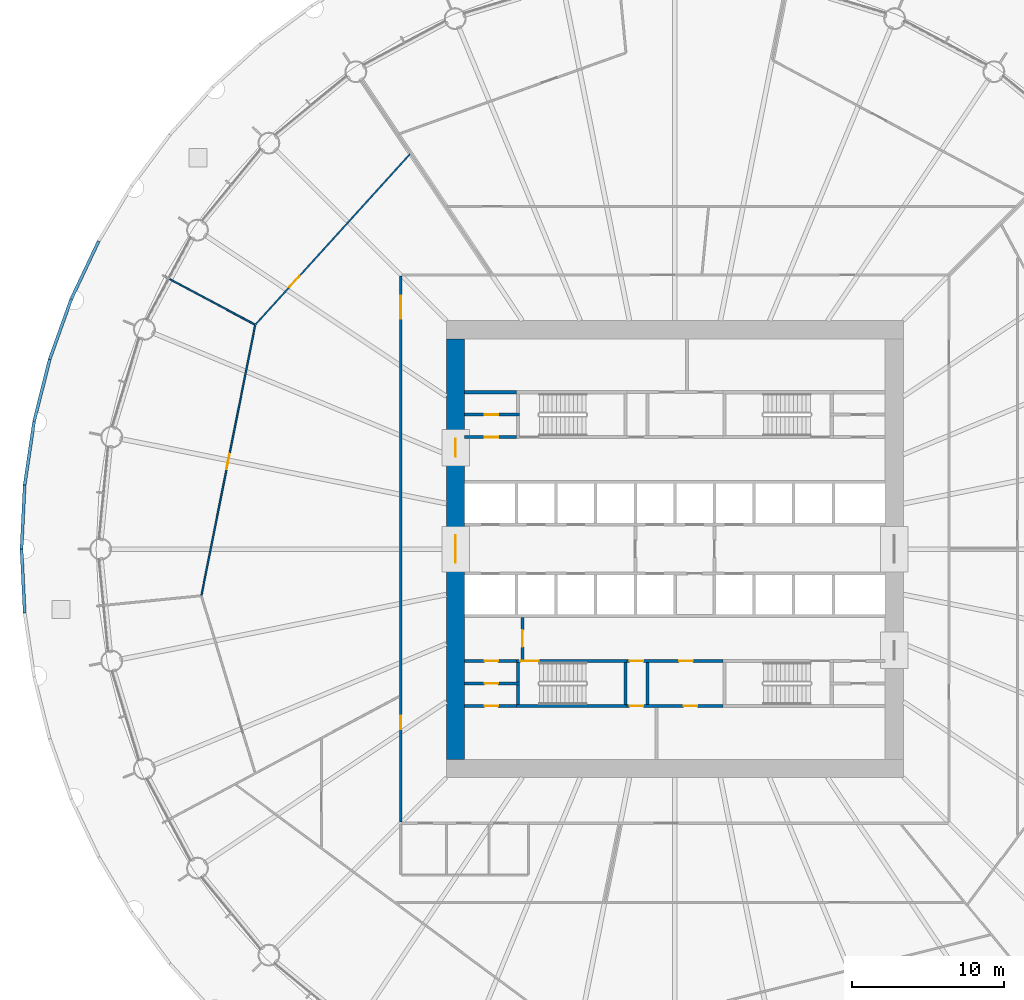
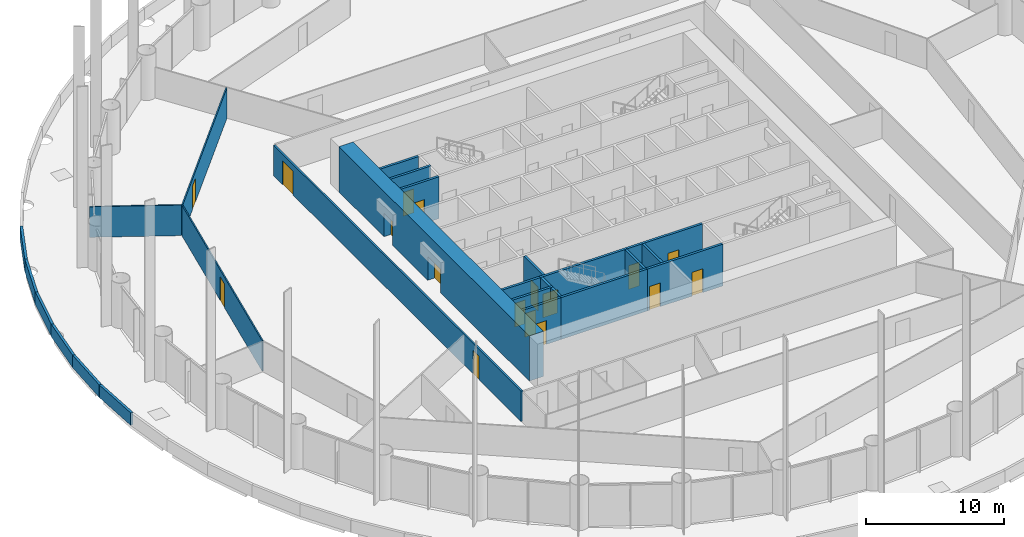
# One storey, part 10 of 17: 26 walls, 17 doors, 17 openings.
"""IFC4 building model written with IfcOpenShell, lengths in metres."""

from ifc_helpers import new_model, si_unit, direction, frame, frame_2d, origin, place, context, subcontext, project, spatial, polyline, rectangle, outline, extrude, material, layer, layer_set, type_object, element, fill, save


model = new_model("IFC4")

# Units and contexts
model_context = context("Model", 3, precision=1e-05, world=origin(), true_north=direction((0.0, 1.0)))
body_context = subcontext(model_context, "Body", "Model", "MODEL_VIEW")
ifc_project = project(units=[si_unit("LENGTHUNIT", "METRE"), si_unit("AREAUNIT", "SQUARE_METRE"), si_unit("VOLUMEUNIT", "CUBIC_METRE"), si_unit("PLANEANGLEUNIT", "RADIAN"), si_unit("MASSUNIT", "GRAM", prefix="KILO")], contexts=[model_context])

# Site, building, storey
site_placement = place(None, origin())
site = spatial("IfcSite", under=ifc_project, at=site_placement, CompositionType="ELEMENT")
building_placement = place(site_placement, origin())
building = spatial("IfcBuilding", under=site, at=building_placement, Name="Corvane Civic Tower", CompositionType="ELEMENT")
storey_placement = place(building_placement, frame((0.0, 0.0, 37.0)))
storey = spatial("IfcBuildingStorey", under=building, at=storey_placement, Name="L07", CompositionType="ELEMENT", Elevation=37.0)

# Wall, openings, doors
ifc_material_1 = material(Name="Concrete C80/95", Category="concrete")
ifc_layer_1 = layer(ifc_material_1, 1.199951171875)
ifc_layer_set_1 = layer_set([ifc_layer_1], Name="Concrete C80/95")
wall_type_1 = type_object("IfcWallType", Name="CORE WALL 1200 C80/95", PredefinedType="SHEAR", material=ifc_layer_set_1)
wall_1_placement = place(storey_placement, frame((-14.39990234375, -13.800048828125, 0.0), z_axis=(0.0, 0.0, 1.0), x_axis=(0.0, 1.0, 0.0)))
wall_1 = element("IfcWall", 1, at=wall_1_placement, inside=storey, type_object=wall_type_1, Name="W-L07-core-W", PredefinedType="SHEAR", context=body_context, shape_type="SweptSolid", body=[
    extrude(rectangle(XDim=27.60009765625, YDim=1.199951171875, at=frame_2d((13.800048828125, 0.0))), origin(), (0.0, 0.0, 1.0), 4.0),
])
opening_1_placement = place(wall_1_placement, frame((12.89990234375, 0.0, 0.0)))
opening_1 = element("IfcOpeningElement", 2, at=opening_1_placement, cuts=wall_1, Name="Opening L07.C26", PredefinedType="OPENING", context=body_context, shape_type="SweptSolid", body=[
    extrude(rectangle(XDim=1.800048828125, YDim=2.10009765625, at=frame_2d((0.89990234375, 1.050048828125))), frame((0.0, 0.60986328125, 0.0), z_axis=(0.0, -1.0, 0.0), x_axis=(1.0, 0.0, 0.0)), (0.0, 0.0, 1.0), 1.219970703125),
])
opening_2_placement = place(wall_1_placement, frame((19.85009765625, 0.0, 0.0)))
opening_2 = element("IfcOpeningElement", 3, at=opening_2_placement, cuts=wall_1, Name="Opening L07.C28", PredefinedType="OPENING", context=body_context, shape_type="SweptSolid", body=[
    extrude(rectangle(XDim=1.199951171875, YDim=2.10009765625, at=frame_2d((0.60009765625, 1.050048828125))), frame((0.0, 0.60986328125, 0.0), z_axis=(0.0, -1.0, 0.0), x_axis=(1.0, 0.0, 0.0)), (0.0, 0.0, 1.0), 1.219970703125),
])
ifc_material_2 = material(Name="Steel fire door leaf", Category="steel")
door_type_1 = type_object("IfcDoorType", Name="CR-DOOR-CORE-1800", OperationType="DOUBLE_DOOR_SINGLE_SWING", PredefinedType="DOOR", material=ifc_material_2)
door_1_placement = place(opening_1_placement, origin())
door_1 = element("IfcDoor", 4, at=door_1_placement, inside=storey, type_object=door_type_1, Name="L07 door", OperationType="DOUBLE_DOOR_SINGLE_SWING", OverallHeight=2.10009765625, OverallWidth=1.800048828125, PredefinedType="DOOR", context=body_context, shape_type="SweptSolid", body=[
    extrude(rectangle(XDim=1.800048828125, YDim=2.10009765625, at=frame_2d((0.89990234375, 1.050048828125))), frame((0.0, 0.02490234375, 0.0), z_axis=(0.0, -1.0, 0.0), x_axis=(1.0, 0.0, 0.0)), (0.0, 0.0, 1.0), 0.050048828125),
])
fill(opening_1, door_1)
door_2_placement = place(opening_2_placement, origin())
door_2 = element("IfcDoor", 5, at=door_2_placement, inside=storey, type_object=door_type_1, Name="L07 door", OperationType="DOUBLE_DOOR_SINGLE_SWING", OverallHeight=2.10009765625, OverallWidth=1.199951171875, PredefinedType="DOOR", context=body_context, shape_type="SweptSolid", body=[
    extrude(rectangle(XDim=1.199951171875, YDim=2.10009765625, at=frame_2d((0.60009765625, 1.050048828125))), frame((0.0, 0.02490234375, 0.0), z_axis=(0.0, -1.0, 0.0), x_axis=(1.0, 0.0, 0.0)), (0.0, 0.0, 1.0), 0.050048828125),
])
fill(opening_2, door_2)

# Wall, opening, door
ifc_material_3 = material(Name="Concrete C30/37", Category="concrete")
ifc_layer_2 = layer(ifc_material_3, 0.199951171875)
ifc_layer_set_2 = layer_set([ifc_layer_2], Name="Concrete C30/37")
wall_type_2 = type_object("IfcWallType", Name="CR-WALL-200", PredefinedType="PARTITIONING", material=ifc_layer_set_2)
wall_2_placement = place(storey_placement, frame((-13.800048828125, -10.300048828125, 0.0), z_axis=(0.0, 0.0, 1.0), x_axis=(1.0, 0.0, 0.0)))
wall_2 = element("IfcWall", 6, at=wall_2_placement, inside=storey, type_object=wall_type_2, Name="L07 partition wall", PredefinedType="PARTITIONING", context=body_context, shape_type="SweptSolid", body=[
    extrude(rectangle(XDim=3.400146484375, YDim=0.199951171875, at=frame_2d((1.7001953125, 0.0))), origin(), (0.0, 0.0, 1.0), 3.699951171875),
])
opening_3_placement = place(wall_2_placement, frame((1.300048828125, 0.0, 0.0)))
opening_3 = element("IfcOpeningElement", 7, at=opening_3_placement, cuts=wall_2, Name="Opening L07.C14", PredefinedType="OPENING", context=body_context, shape_type="SweptSolid", body=[
    extrude(rectangle(XDim=0.89990234375, YDim=2.10009765625, at=frame_2d((0.449951171875, 1.050048828125))), frame((0.0, 0.10986328125, 0.0), z_axis=(0.0, -1.0, 0.0), x_axis=(1.0, 0.0, 0.0)), (0.0, 0.0, 1.0), 0.219970703125),
])
ifc_material_4 = material(Name="Steel fire door leaf", Category="steel")
door_type_2 = type_object("IfcDoorType", Name="CR-DOOR-900", OperationType="SINGLE_SWING_LEFT", PredefinedType="DOOR", material=ifc_material_4)
door_3_placement = place(opening_3_placement, origin())
door_3 = element("IfcDoor", 8, at=door_3_placement, inside=storey, type_object=door_type_2, Name="L07 door", OperationType="SINGLE_SWING_LEFT", OverallHeight=2.10009765625, OverallWidth=0.89990234375, PredefinedType="DOOR", context=body_context, shape_type="SweptSolid", body=[
    extrude(rectangle(XDim=0.89990234375, YDim=2.10009765625, at=frame_2d((0.449951171875, 1.050048828125))), frame((0.0, 0.02490234375, 0.0), z_axis=(0.0, -1.0, 0.0), x_axis=(1.0, 0.0, 0.0)), (0.0, 0.0, 1.0), 0.050048828125),
])
fill(opening_3, door_3)

# Wall, openings, doors
wall_3_placement = place(storey_placement, frame((-3.14990234375, -10.300048828125, 0.0), z_axis=(0.0, 0.0, 1.0), x_axis=(1.0, 0.0, 0.0)))
wall_3 = element("IfcWall", 9, at=wall_3_placement, inside=storey, type_object=wall_type_2, Name="L07 partition wall", PredefinedType="PARTITIONING", context=body_context, shape_type="SweptSolid", body=[
    extrude(rectangle(XDim=6.2998046875, YDim=0.199951171875, at=frame_2d((3.14990234375, 0.0))), origin(), (0.0, 0.0, 1.0), 3.699951171875),
])
opening_4_placement = place(wall_3_placement, frame((0.175048828125, 0.0, 0.0)))
opening_4 = element("IfcOpeningElement", 10, at=opening_4_placement, cuts=wall_3, Name="Opening L07.C08", PredefinedType="OPENING", context=body_context, shape_type="SweptSolid", body=[
    extrude(rectangle(XDim=0.89990234375, YDim=2.10009765625, at=frame_2d((0.449951171875, 1.050048828125))), frame((0.0, 0.10986328125, 0.0), z_axis=(0.0, -1.0, 0.0), x_axis=(1.0, 0.0, 0.0)), (0.0, 0.0, 1.0), 0.219970703125),
])
opening_5_placement = place(wall_3_placement, frame((3.72509765625, 0.0, 0.0)))
opening_5 = element("IfcOpeningElement", 11, at=opening_5_placement, cuts=wall_3, Name="Opening L07.C09", PredefinedType="OPENING", context=body_context, shape_type="SweptSolid", body=[
    extrude(rectangle(XDim=0.89990234375, YDim=2.10009765625, at=frame_2d((0.449951171875, 1.050048828125))), frame((0.0, 0.10986328125, 0.0), z_axis=(0.0, -1.0, 0.0), x_axis=(1.0, 0.0, 0.0)), (0.0, 0.0, 1.0), 0.219970703125),
])
door_4_placement = place(opening_4_placement, origin())
door_4 = element("IfcDoor", 12, at=door_4_placement, inside=storey, type_object=door_type_2, Name="L07 door", OperationType="SINGLE_SWING_LEFT", OverallHeight=2.10009765625, OverallWidth=0.89990234375, PredefinedType="DOOR", context=body_context, shape_type="SweptSolid", body=[
    extrude(rectangle(XDim=0.89990234375, YDim=2.10009765625, at=frame_2d((0.449951171875, 1.050048828125))), frame((0.0, 0.02490234375, 0.0), z_axis=(0.0, -1.0, 0.0), x_axis=(1.0, 0.0, 0.0)), (0.0, 0.0, 1.0), 0.050048828125),
])
fill(opening_4, door_4)
door_5_placement = place(opening_5_placement, origin())
door_5 = element("IfcDoor", 13, at=door_5_placement, inside=storey, type_object=door_type_2, Name="L07 door", OperationType="SINGLE_SWING_LEFT", OverallHeight=2.10009765625, OverallWidth=0.89990234375, PredefinedType="DOOR", context=body_context, shape_type="SweptSolid", body=[
    extrude(rectangle(XDim=0.89990234375, YDim=2.10009765625, at=frame_2d((0.449951171875, 1.050048828125))), frame((0.0, 0.02490234375, 0.0), z_axis=(0.0, -1.0, 0.0), x_axis=(1.0, 0.0, 0.0)), (0.0, 0.0, 1.0), 0.050048828125),
])
fill(opening_5, door_5)

# Wall, opening, door
wall_4_placement = place(storey_placement, frame((-13.800048828125, -8.824951171875, 0.0), z_axis=(0.0, 0.0, 1.0), x_axis=(1.0, 0.0, 0.0)))
wall_4 = element("IfcWall", 14, at=wall_4_placement, inside=storey, type_object=wall_type_2, Name="L07 partition wall", PredefinedType="PARTITIONING", context=body_context, shape_type="SweptSolid", body=[
    extrude(rectangle(XDim=3.60009765625, YDim=0.199951171875, at=frame_2d((1.800048828125, 0.0))), origin(), (0.0, 0.0, 1.0), 3.699951171875),
])
opening_6_placement = place(wall_4_placement, frame((1.300048828125, 0.0, 0.0)))
opening_6 = element("IfcOpeningElement", 15, at=opening_6_placement, cuts=wall_4, Name="Opening L07.C13", PredefinedType="OPENING", context=body_context, shape_type="SweptSolid", body=[
    extrude(rectangle(XDim=0.89990234375, YDim=2.10009765625, at=frame_2d((0.449951171875, 1.050048828125))), frame((0.0, 0.10986328125, 0.0), z_axis=(0.0, -1.0, 0.0), x_axis=(1.0, 0.0, 0.0)), (0.0, 0.0, 1.0), 0.219970703125),
])
door_6_placement = place(opening_6_placement, origin())
door_6 = element("IfcDoor", 16, at=door_6_placement, inside=storey, type_object=door_type_2, Name="L07 door", OperationType="SINGLE_SWING_LEFT", OverallHeight=2.10009765625, OverallWidth=0.89990234375, PredefinedType="DOOR", context=body_context, shape_type="SweptSolid", body=[
    extrude(rectangle(XDim=0.89990234375, YDim=2.10009765625, at=frame_2d((0.449951171875, 1.050048828125))), frame((0.0, 0.02490234375, 0.0), z_axis=(0.0, -1.0, 0.0), x_axis=(1.0, 0.0, 0.0)), (0.0, 0.0, 1.0), 0.050048828125),
])
fill(opening_6, door_6)

wall_5_placement = place(storey_placement, frame((-13.800048828125, -7.35009765625, 0.0), z_axis=(0.0, 0.0, 1.0), x_axis=(1.0, 0.0, 0.0)))
wall_5 = element("IfcWall", 17, at=wall_5_placement, inside=storey, type_object=wall_type_2, Name="L07 core partition wall", PredefinedType="PARTITIONING", context=body_context, shape_type="SweptSolid", body=[
    extrude(rectangle(XDim=3.400146484375, YDim=0.199951171875, at=frame_2d((1.7001953125, 0.0))), origin(), (0.0, 0.0, 1.0), 3.699951171875),
])
opening_7_placement = place(wall_5_placement, frame((1.300048828125, 0.0, 0.0)))
opening_7 = element("IfcOpeningElement", 18, at=opening_7_placement, cuts=wall_5, Name="Opening L07.C12", PredefinedType="OPENING", context=body_context, shape_type="SweptSolid", body=[
    extrude(rectangle(XDim=0.89990234375, YDim=2.10009765625, at=frame_2d((0.449951171875, 1.050048828125))), frame((0.0, 0.10986328125, 0.0), z_axis=(0.0, -1.0, 0.0), x_axis=(1.0, 0.0, 0.0)), (0.0, 0.0, 1.0), 0.219970703125),
])
door_7_placement = place(opening_7_placement, origin())
door_7 = element("IfcDoor", 19, at=door_7_placement, inside=storey, type_object=door_type_2, Name="L07 door", OperationType="SINGLE_SWING_LEFT", OverallHeight=2.10009765625, OverallWidth=0.89990234375, PredefinedType="DOOR", context=body_context, shape_type="SweptSolid", body=[
    extrude(rectangle(XDim=0.89990234375, YDim=2.10009765625, at=frame_2d((0.449951171875, 1.050048828125))), frame((0.0, 0.02490234375, 0.0), z_axis=(0.0, -1.0, 0.0), x_axis=(1.0, 0.0, 0.0)), (0.0, 0.0, 1.0), 0.050048828125),
])
fill(opening_7, door_7)

# Wall, openings, doors
wall_6_placement = place(storey_placement, frame((-3.14990234375, -7.35009765625, 0.0), z_axis=(0.0, 0.0, 1.0), x_axis=(1.0, 0.0, 0.0)))
wall_6 = element("IfcWall", 20, at=wall_6_placement, inside=storey, type_object=wall_type_2, Name="L07 core partition wall", PredefinedType="PARTITIONING", context=body_context, shape_type="SweptSolid", body=[
    extrude(rectangle(XDim=6.2998046875, YDim=0.199951171875, at=frame_2d((3.14990234375, 0.0))), origin(), (0.0, 0.0, 1.0), 3.699951171875),
])
opening_8_placement = place(wall_6_placement, frame((0.175048828125, 0.0, 0.0)))
opening_8 = element("IfcOpeningElement", 21, at=opening_8_placement, cuts=wall_6, Name="Opening L07.C04", PredefinedType="OPENING", context=body_context, shape_type="SweptSolid", body=[
    extrude(rectangle(XDim=0.89990234375, YDim=2.10009765625, at=frame_2d((0.449951171875, 1.050048828125))), frame((0.0, 0.10986328125, 0.0), z_axis=(0.0, -1.0, 0.0), x_axis=(1.0, 0.0, 0.0)), (0.0, 0.0, 1.0), 0.219970703125),
])
opening_9_placement = place(wall_6_placement, frame((3.425048828125, 0.0, 0.0)))
opening_9 = element("IfcOpeningElement", 22, at=opening_9_placement, cuts=wall_6, Name="Opening L07.C05", PredefinedType="OPENING", context=body_context, shape_type="SweptSolid", body=[
    extrude(rectangle(XDim=0.89990234375, YDim=2.10009765625, at=frame_2d((0.449951171875, 1.050048828125))), frame((0.0, 0.10986328125, 0.0), z_axis=(0.0, -1.0, 0.0), x_axis=(1.0, 0.0, 0.0)), (0.0, 0.0, 1.0), 0.219970703125),
])
door_8_placement = place(opening_8_placement, origin())
door_8 = element("IfcDoor", 23, at=door_8_placement, inside=storey, type_object=door_type_2, Name="L07 door", OperationType="SINGLE_SWING_LEFT", OverallHeight=2.10009765625, OverallWidth=0.89990234375, PredefinedType="DOOR", context=body_context, shape_type="SweptSolid", body=[
    extrude(rectangle(XDim=0.89990234375, YDim=2.10009765625, at=frame_2d((0.449951171875, 1.050048828125))), frame((0.0, 0.02490234375, 0.0), z_axis=(0.0, -1.0, 0.0), x_axis=(1.0, 0.0, 0.0)), (0.0, 0.0, 1.0), 0.050048828125),
])
fill(opening_8, door_8)
door_9_placement = place(opening_9_placement, origin())
door_9 = element("IfcDoor", 24, at=door_9_placement, inside=storey, type_object=door_type_2, Name="L07 door", OperationType="SINGLE_SWING_LEFT", OverallHeight=2.10009765625, OverallWidth=0.89990234375, PredefinedType="DOOR", context=body_context, shape_type="SweptSolid", body=[
    extrude(rectangle(XDim=0.89990234375, YDim=2.10009765625, at=frame_2d((0.449951171875, 1.050048828125))), frame((0.0, 0.02490234375, 0.0), z_axis=(0.0, -1.0, 0.0), x_axis=(1.0, 0.0, 0.0)), (0.0, 0.0, 1.0), 0.050048828125),
])
fill(opening_9, door_9)

# Wall, opening, door
wall_7_placement = place(storey_placement, frame((-13.800048828125, 7.35009765625, 0.0), z_axis=(0.0, 0.0, 1.0), x_axis=(1.0, 0.0, 0.0)))
wall_7 = element("IfcWall", 25, at=wall_7_placement, inside=storey, type_object=wall_type_2, Name="L07 core partition wall", PredefinedType="PARTITIONING", context=body_context, shape_type="SweptSolid", body=[
    extrude(rectangle(XDim=3.400146484375, YDim=0.199951171875, at=frame_2d((1.7001953125, 0.0))), origin(), (0.0, 0.0, 1.0), 3.699951171875),
])
opening_10_placement = place(wall_7_placement, frame((1.300048828125, 0.0, 0.0)))
opening_10 = element("IfcOpeningElement", 26, at=opening_10_placement, cuts=wall_7, Name="Opening L07.C10", PredefinedType="OPENING", context=body_context, shape_type="SweptSolid", body=[
    extrude(rectangle(XDim=0.89990234375, YDim=2.10009765625, at=frame_2d((0.449951171875, 1.050048828125))), frame((0.0, 0.10986328125, 0.0), z_axis=(0.0, -1.0, 0.0), x_axis=(1.0, 0.0, 0.0)), (0.0, 0.0, 1.0), 0.219970703125),
])
door_10_placement = place(opening_10_placement, origin())
door_10 = element("IfcDoor", 27, at=door_10_placement, inside=storey, type_object=door_type_2, Name="L07 door", OperationType="SINGLE_SWING_LEFT", OverallHeight=2.10009765625, OverallWidth=0.89990234375, PredefinedType="DOOR", context=body_context, shape_type="SweptSolid", body=[
    extrude(rectangle(XDim=0.89990234375, YDim=2.10009765625, at=frame_2d((0.449951171875, 1.050048828125))), frame((0.0, 0.02490234375, 0.0), z_axis=(0.0, -1.0, 0.0), x_axis=(1.0, 0.0, 0.0)), (0.0, 0.0, 1.0), 0.050048828125),
])
fill(opening_10, door_10)

wall_8_placement = place(storey_placement, frame((-13.800048828125, 8.824951171875, 0.0), z_axis=(0.0, 0.0, 1.0), x_axis=(1.0, 0.0, 0.0)))
wall_8 = element("IfcWall", 28, at=wall_8_placement, inside=storey, type_object=wall_type_2, Name="L07 partition wall", PredefinedType="PARTITIONING", context=body_context, shape_type="SweptSolid", body=[
    extrude(rectangle(XDim=3.60009765625, YDim=0.199951171875, at=frame_2d((1.800048828125, 0.0))), origin(), (0.0, 0.0, 1.0), 3.699951171875),
])
opening_11_placement = place(wall_8_placement, frame((1.300048828125, 0.0, 0.0)))
opening_11 = element("IfcOpeningElement", 29, at=opening_11_placement, cuts=wall_8, Name="Opening L07.C11", PredefinedType="OPENING", context=body_context, shape_type="SweptSolid", body=[
    extrude(rectangle(XDim=0.89990234375, YDim=2.10009765625, at=frame_2d((0.449951171875, 1.050048828125))), frame((0.0, 0.10986328125, 0.0), z_axis=(0.0, -1.0, 0.0), x_axis=(1.0, 0.0, 0.0)), (0.0, 0.0, 1.0), 0.219970703125),
])
door_11_placement = place(opening_11_placement, origin())
door_11 = element("IfcDoor", 30, at=door_11_placement, inside=storey, type_object=door_type_2, Name="L07 door", OperationType="SINGLE_SWING_LEFT", OverallHeight=2.10009765625, OverallWidth=0.89990234375, PredefinedType="DOOR", context=body_context, shape_type="SweptSolid", body=[
    extrude(rectangle(XDim=0.89990234375, YDim=2.10009765625, at=frame_2d((0.449951171875, 1.050048828125))), frame((0.0, 0.02490234375, 0.0), z_axis=(0.0, -1.0, 0.0), x_axis=(1.0, 0.0, 0.0)), (0.0, 0.0, 1.0), 0.050048828125),
])
fill(opening_11, door_11)

wall_9_placement = place(storey_placement, frame((-10.0, -7.25, 0.0), z_axis=(0.0, 0.0, 1.0), x_axis=(0.0, 1.0, 0.0)))
wall_9 = element("IfcWall", 31, at=wall_9_placement, inside=storey, type_object=wall_type_2, Name="L07 core partition wall", PredefinedType="PARTITIONING", context=body_context, shape_type="SweptSolid", body=[
    extrude(rectangle(XDim=2.75, YDim=0.199951171875, at=frame_2d((1.375, 0.0))), origin(), (0.0, 0.0, 1.0), 3.699951171875),
])
opening_12_placement = place(wall_9_placement, frame((0.824951171875, 0.0, 0.0)))
opening_12 = element("IfcOpeningElement", 32, at=opening_12_placement, cuts=wall_9, Name="Opening L07.C25", PredefinedType="OPENING", context=body_context, shape_type="SweptSolid", body=[
    extrude(rectangle(XDim=1.10009765625, YDim=2.10009765625, at=frame_2d((0.550048828125, 1.050048828125))), frame((0.0, 0.10986328125, 0.0), z_axis=(0.0, -1.0, 0.0), x_axis=(1.0, 0.0, 0.0)), (0.0, 0.0, 1.0), 0.219970703125),
])
ifc_material_5 = material(Name="Steel fire door leaf", Category="steel")
door_type_3 = type_object("IfcDoorType", Name="CR-DOOR-FFL-1100", OperationType="SINGLE_SWING_LEFT", PredefinedType="DOOR", material=ifc_material_5)
door_12_placement = place(opening_12_placement, origin())
door_12 = element("IfcDoor", 33, at=door_12_placement, inside=storey, type_object=door_type_3, Name="L07 lobby door", OperationType="SINGLE_SWING_LEFT", OverallHeight=2.10009765625, OverallWidth=1.10009765625, PredefinedType="DOOR", context=body_context, shape_type="SweptSolid", body=[
    extrude(rectangle(XDim=1.10009765625, YDim=2.10009765625, at=frame_2d((0.550048828125, 1.050048828125))), frame((0.0, 0.02490234375, 0.0), z_axis=(0.0, -1.0, 0.0), x_axis=(1.0, 0.0, 0.0)), (0.0, 0.0, 1.0), 0.050048828125),
])
fill(opening_12, door_12)

# Walls
wall_10_placement = place(storey_placement, origin())
element("IfcWall", 34, at=wall_10_placement, inside=storey, type_object=wall_type_2, Name="L07 core partition wall", PredefinedType="PARTITIONING", context=body_context, shape_type="SweptSolid", body=[
    extrude(outline(polyline([(-13.800048828125, 10.199951171875), (-13.800048828125, 10.39990234375), (-10.39990234375, 10.39990234375), (-10.39990234375, 10.199951171875), (-13.800048828125, 10.199951171875)])), origin(), (0.0, 0.0, 1.0), 3.699951171875),
])
wall_11_placement = place(storey_placement, origin())
element("IfcWall", 35, at=wall_11_placement, inside=storey, type_object=wall_type_2, Name="L07 core partition wall", PredefinedType="PARTITIONING", context=body_context, shape_type="SweptSolid", body=[
    extrude(outline(polyline([(-1.699951171875, -7.449951171875), (-1.699951171875, -10.199951171875), (-1.89990234375, -10.199951171875), (-1.89990234375, -7.449951171875), (-1.699951171875, -7.449951171875)])), origin(), (0.0, 0.0, 1.0), 3.699951171875),
])
ifc_material_6 = material(Name="Limestone cladding", Category="masonry")
ifc_layer_3 = layer(ifc_material_6, 0.199951171875)
ifc_layer_set_3 = layer_set([ifc_layer_3], Name="Limestone cladding")
wall_type_3 = type_object("IfcWallType", Name="PODIUM-W-PARAPET-200", PredefinedType="PARAPET", material=ifc_layer_set_3)
wall_12_placement = place(storey_placement, frame((-37.83642578125, 20.21826171875, 0.0), z_axis=(0.0, 0.0, 1.0), x_axis=(-0.427551519689, -0.903990983369, 0.0)))
element("IfcWall", 36, at=wall_12_placement, inside=storey, type_object=wall_type_3, Name="Drum roof parapet 12", PredefinedType="PARAPET", context=body_context, shape_type="SweptSolid", body=[
    extrude(rectangle(XDim=4.199951171875, YDim=0.199951171875, at=frame_2d((2.10009765625, 0.0))), origin(), (0.0, 0.0, 1.0), 1.10009765625),
])
wall_13_placement = place(storey_placement, frame((-39.635986328125, 16.412109375, 0.0), z_axis=(0.0, 0.0, 1.0), x_axis=(-0.336888747296, -0.94154446095, 0.0)))
element("IfcWall", 37, at=wall_13_placement, inside=storey, type_object=wall_type_3, Name="Drum roof parapet 13", PredefinedType="PARAPET", context=body_context, shape_type="SweptSolid", body=[
    extrude(rectangle(XDim=4.19970703125, YDim=0.199951171875, at=frame_2d((2.099853515625, 0.0))), origin(), (0.0, 0.0, 1.0), 1.10009765625),
])
wall_14_placement = place(storey_placement, frame((-41.053955078125, 12.4482421875, 0.0), z_axis=(0.0, 0.0, 1.0), x_axis=(-0.242986967766, -0.970029552898, 0.0)))
element("IfcWall", 38, at=wall_14_placement, inside=storey, type_object=wall_type_3, Name="Drum roof parapet 14", PredefinedType="PARAPET", context=body_context, shape_type="SweptSolid", body=[
    extrude(rectangle(XDim=4.199951171875, YDim=0.199951171875, at=frame_2d((2.10009765625, 0.0))), origin(), (0.0, 0.0, 1.0), 1.10009765625),
])
wall_15_placement = place(storey_placement, frame((-42.076416015625, 8.364501953125, 0.0), z_axis=(0.0, 0.0, 1.0), x_axis=(-0.146725630276, -0.989177228519, 0.0)))
element("IfcWall", 39, at=wall_15_placement, inside=storey, type_object=wall_type_3, Name="Drum roof parapet 15", PredefinedType="PARAPET", context=body_context, shape_type="SweptSolid", body=[
    extrude(rectangle(XDim=4.19970703125, YDim=0.199951171875, at=frame_2d((2.099853515625, 0.0))), origin(), (0.0, 0.0, 1.0), 1.10009765625),
])
for number, where, z_axis, x_axis, name in (
    (40, (-42.693603515625, 4.199951171875, 0.0), (0.0, 0.0, 1.0), (-0.049062018364, -0.998795734049, 0.0), "Drum roof parapet 16"),
    (41, (-42.899658203125, -0.005126953125, 0.0), (0.0, 0.0, 1.0), (0.049062018364, -0.998795734049, 0.0), "Drum roof parapet 17"),
):
    element("IfcWall", number, at=place(storey_placement, frame(where, z_axis=z_axis, x_axis=x_axis)), inside=storey, type_object=wall_type_3, Name=name, PredefinedType="PARAPET", context=body_context, shape_type="SweptSolid", body=[
        extrude(rectangle(XDim=4.199951171875, YDim=0.199951171875, at=frame_2d((2.10009765625, 0.0))), origin(), (0.0, 0.0, 1.0), 1.10009765625),
    ])

# Wall, opening, door
ifc_material_7 = material(Name="Plasterboard")
ifc_layer_4 = layer(ifc_material_7, 0.10009765625)
ifc_layer_set_4 = layer_set([ifc_layer_4], Name="Plasterboard")
wall_type_4 = type_object("IfcWallType", Name="Partition 100 plasterboard on studs", PredefinedType="PARTITIONING", material=ifc_layer_set_4)
wall_16_placement = place(storey_placement, frame((-31.08447265625, -3.02587890625, 0.0), z_axis=(0.0, 0.0, 1.0), x_axis=(0.195094577549, 0.980784433916, 0.0)))
wall_16 = element("IfcWall", 42, at=wall_16_placement, inside=storey, type_object=wall_type_4, Name="Partition L07.023", PredefinedType="PARTITIONING", context=body_context, shape_type="SweptSolid", body=[
    extrude(rectangle(XDim=18.06396484375, YDim=0.10009765625, at=frame_2d((9.031982421875, 0.0))), origin(), (0.0, 0.0, 1.0), 2.699951171875),
])
opening_13_placement = place(wall_16_placement, frame((8.44921875, 0.0, 0.0)))
opening_13 = element("IfcOpeningElement", 43, at=opening_13_placement, cuts=wall_16, Name="Opening L07.017", PredefinedType="OPENING", context=body_context, shape_type="SweptSolid", body=[
    extrude(rectangle(XDim=1.0, YDim=2.10009765625, at=frame_2d((0.5, 1.050048828125))), frame((0.0, 0.06005859375, 0.0), z_axis=(0.0, -1.0, 0.0), x_axis=(1.0, 0.0, 0.0)), (0.0, 0.0, 1.0), 0.1201171875),
])
ifc_material_8 = material(Name="Timber", Category="wood")
door_type_4 = type_object("IfcDoorType", Name="Single door 1000", OperationType="NOTDEFINED", PredefinedType="DOOR", material=ifc_material_8)
door_13_placement = place(opening_13_placement, origin())
door_13 = element("IfcDoor", 44, at=door_13_placement, inside=storey, type_object=door_type_4, Name="Door L07.017", OperationType="SINGLE_SWING_LEFT", OverallHeight=2.10009765625, OverallWidth=1.0, PredefinedType="DOOR", context=body_context, shape_type="SweptSolid", body=[
    extrude(rectangle(XDim=1.0, YDim=2.10009765625, at=frame_2d((0.5, 1.050048828125))), frame((0.0, 0.02490234375, 0.0), z_axis=(0.0, -1.0, 0.0), x_axis=(1.0, 0.0, 0.0)), (0.0, 0.0, 1.0), 0.050048828125),
])
fill(opening_13, door_13)

# Wall
wall_17_placement = place(storey_placement, frame((-33.468994140625, 17.8896484375, 0.0), z_axis=(0.0, 0.0, 1.0), x_axis=(0.881919860776, -0.471399362717, 0.0)))
element("IfcWall", 45, at=wall_17_placement, inside=storey, type_object=wall_type_4, Name="Partition L07.027", PredefinedType="PARTITIONING", context=body_context, shape_type="SweptSolid", body=[
    extrude(rectangle(XDim=6.669189453125, YDim=0.10009765625, at=frame_2d((3.33447265625, 0.0))), origin(), (0.0, 0.0, 1.0), 2.699951171875),
])

# Wall, opening, door
wall_18_placement = place(storey_placement, frame((-27.52685546875, 14.75634765625, 0.0), z_axis=(0.0, 0.0, 1.0), x_axis=(0.671559148707, 0.740950949651, 0.0)))
wall_18 = element("IfcWall", 46, at=wall_18_placement, inside=storey, type_object=wall_type_4, Name="Partition L07.028", PredefinedType="PARTITIONING", context=body_context, shape_type="SweptSolid", body=[
    extrude(rectangle(XDim=15.079345703125, YDim=0.10009765625, at=frame_2d((7.53955078125, 0.0))), origin(), (0.0, 0.0, 1.0), 2.699951171875),
])
opening_14_placement = place(wall_18_placement, frame((3.303466796875, 0.0, 0.0)))
opening_14 = element("IfcOpeningElement", 47, at=opening_14_placement, cuts=wall_18, Name="Opening L07.018", PredefinedType="OPENING", context=body_context, shape_type="SweptSolid", body=[
    extrude(rectangle(XDim=1.0, YDim=2.10009765625, at=frame_2d((0.5, 1.050048828125))), frame((0.0, 0.06005859375, 0.0), z_axis=(0.0, -1.0, 0.0), x_axis=(1.0, 0.0, 0.0)), (0.0, 0.0, 1.0), 0.1201171875),
])
door_14_placement = place(opening_14_placement, origin())
door_14 = element("IfcDoor", 48, at=door_14_placement, inside=storey, type_object=door_type_4, Name="Door L07.018", OperationType="SINGLE_SWING_LEFT", OverallHeight=2.10009765625, OverallWidth=1.0, PredefinedType="DOOR", context=body_context, shape_type="SweptSolid", body=[
    extrude(rectangle(XDim=1.0, YDim=2.10009765625, at=frame_2d((0.5, 1.050048828125))), frame((0.0, 0.02490234375, 0.0), z_axis=(0.0, -1.0, 0.0), x_axis=(1.0, 0.0, 0.0)), (0.0, 0.0, 1.0), 0.050048828125),
])
fill(opening_14, door_14)

ifc_material_9 = material(Name="Concrete C50/60", Category="concrete")
ifc_layer_5 = layer(ifc_material_9, 0.199951171875)
ifc_layer_set_5 = layer_set([ifc_layer_5], Name="Concrete C50/60")
wall_type_5 = type_object("IfcWallType", Name="ST-WALL-200", PredefinedType="SHEAR", material=ifc_layer_set_5)
wall_19_placement = place(storey_placement, frame((-10.39990234375, -7.35009765625, 0.0), z_axis=(0.0, 0.0, 1.0), x_axis=(1.0, 0.0, 0.0)))
wall_19 = element("IfcWall", 49, at=wall_19_placement, inside=storey, type_object=wall_type_5, Name="L07 stair enclosure wall", PredefinedType="SHEAR", context=body_context, shape_type="SweptSolid", body=[
    extrude(rectangle(XDim=7.25, YDim=0.199951171875, at=frame_2d((3.625, 0.0))), origin(), (0.0, 0.0, 1.0), 3.699951171875),
])
opening_15_placement = place(wall_19_placement, frame((0.25, 0.0, 0.0)))
opening_15 = element("IfcOpeningElement", 50, at=opening_15_placement, cuts=wall_19, Name="Opening L07.C22", PredefinedType="OPENING", context=body_context, shape_type="SweptSolid", body=[
    extrude(rectangle(XDim=1.199951171875, YDim=2.10009765625, at=frame_2d((0.60009765625, 1.050048828125))), frame((0.0, 0.10986328125, 0.0), z_axis=(0.0, -1.0, 0.0), x_axis=(1.0, 0.0, 0.0)), (0.0, 0.0, 1.0), 0.219970703125),
])
ifc_material_10 = material(Name="Steel fire door leaf", Category="steel")
door_type_5 = type_object("IfcDoorType", Name="ST-DOOR-1200", OperationType="SINGLE_SWING_RIGHT", PredefinedType="DOOR", material=ifc_material_10)
door_15_placement = place(opening_15_placement, origin())
door_15 = element("IfcDoor", 51, at=door_15_placement, inside=storey, type_object=door_type_5, Name="L07 stair door", OperationType="SINGLE_SWING_RIGHT", OverallHeight=2.10009765625, OverallWidth=1.199951171875, PredefinedType="DOOR", context=body_context, shape_type="SweptSolid", body=[
    extrude(rectangle(XDim=1.199951171875, YDim=2.10009765625, at=frame_2d((0.60009765625, 1.050048828125))), frame((0.0, 0.02490234375, 0.0), z_axis=(0.0, -1.0, 0.0), x_axis=(1.0, 0.0, 0.0)), (0.0, 0.0, 1.0), 0.050048828125),
])
fill(opening_15, door_15)

# Walls
wall_20_placement = place(storey_placement, origin())
element("IfcWall", 52, at=wall_20_placement, inside=storey, type_object=wall_type_5, Name="L07 stair enclosure wall", PredefinedType="SHEAR", context=body_context, shape_type="SweptSolid", body=[
    extrude(outline(polyline([(-3.14990234375, -10.199951171875), (-3.14990234375, -10.39990234375), (-10.39990234375, -10.39990234375), (-10.39990234375, -10.199951171875), (-3.14990234375, -10.199951171875)])), origin(), (0.0, 0.0, 1.0), 3.699951171875),
])
wall_21_placement = place(storey_placement, origin())
element("IfcWall", 53, at=wall_21_placement, inside=storey, type_object=wall_type_5, Name="L07 stair enclosure wall", PredefinedType="SHEAR", context=body_context, shape_type="SweptSolid", body=[
    extrude(outline(polyline([(-3.14990234375, -7.449951171875), (-3.14990234375, -10.199951171875), (-3.35009765625, -10.199951171875), (-3.35009765625, -7.449951171875), (-3.14990234375, -7.449951171875)])), origin(), (0.0, 0.0, 1.0), 3.699951171875),
])
wall_22_placement = place(storey_placement, origin())
element("IfcWall", 54, at=wall_22_placement, inside=storey, type_object=wall_type_5, Name="L07 stair enclosure wall", PredefinedType="SHEAR", context=body_context, shape_type="SweptSolid", body=[
    extrude(outline(polyline([(-10.199951171875, -7.449951171875), (-10.199951171875, -8.72509765625), (-10.39990234375, -8.72509765625), (-10.39990234375, -7.449951171875), (-10.199951171875, -7.449951171875)])), origin(), (0.0, 0.0, 1.0), 3.699951171875),
])
wall_23_placement = place(storey_placement, origin())
element("IfcWall", 55, at=wall_23_placement, inside=storey, type_object=wall_type_5, Name="L07 stair enclosure wall", PredefinedType="SHEAR", context=body_context, shape_type="SweptSolid", body=[
    extrude(outline(polyline([(-10.199951171875, -8.925048828125), (-10.199951171875, -10.199951171875), (-10.39990234375, -10.199951171875), (-10.39990234375, -8.925048828125), (-10.199951171875, -8.925048828125)])), origin(), (0.0, 0.0, 1.0), 3.699951171875),
])

# Wall, openings, doors
ifc_material_11 = material(Name="Plasterboard")
ifc_layer_6 = layer(ifc_material_11, 0.14990234375)
ifc_layer_set_6 = layer_set([ifc_layer_6], Name="Plasterboard")
wall_type_6 = type_object("IfcWallType", Name="Tenancy wall 150 EI 60", PredefinedType="PARTITIONING", material=ifc_layer_set_6)
wall_24_placement = place(storey_placement, frame((-18.0, -17.924072265625, 0.0), z_axis=(0.0, 0.0, 1.0), x_axis=(0.0, 1.0, 0.0)))
wall_24 = element("IfcWall", 56, at=wall_24_placement, inside=storey, type_object=wall_type_6, Name="Partition L07.017", PredefinedType="PARTITIONING", context=body_context, shape_type="SweptSolid", body=[
    extrude(rectangle(XDim=35.84912109375, YDim=0.14990234375, at=frame_2d((17.924560546875, 0.0))), origin(), (0.0, 0.0, 1.0), 2.699951171875),
])
opening_16_placement = place(wall_24_placement, frame((6.07958984375, 0.0, 0.0)))
opening_16 = element("IfcOpeningElement", 57, at=opening_16_placement, cuts=wall_24, Name="Opening L07.012", PredefinedType="OPENING", context=body_context, shape_type="SweptSolid", body=[
    extrude(rectangle(XDim=0.89990234375, YDim=2.10009765625, at=frame_2d((0.449951171875, 1.050048828125))), frame((0.0, 0.0849609375, 0.0), z_axis=(0.0, -1.0, 0.0), x_axis=(1.0, 0.0, 0.0)), (0.0, 0.0, 1.0), 0.169921875),
])
opening_17_placement = place(wall_24_placement, frame((33.059814453125, 0.0, 0.0)))
opening_17 = element("IfcOpeningElement", 58, at=opening_17_placement, cuts=wall_24, Name="Opening L07.019", PredefinedType="OPENING", context=body_context, shape_type="SweptSolid", body=[
    extrude(rectangle(XDim=1.5, YDim=2.10009765625, at=frame_2d((0.75, 1.050048828125))), frame((0.0, 0.0849609375, 0.0), z_axis=(0.0, -1.0, 0.0), x_axis=(1.0, 0.0, 0.0)), (0.0, 0.0, 1.0), 0.169921875),
])
ifc_material_12 = material(Name="Steel and timber", Category="steel")
door_type_6 = type_object("IfcDoorType", Name="Fire door FD30S 900", OperationType="NOTDEFINED", PredefinedType="DOOR", material=ifc_material_12)
door_16_placement = place(opening_16_placement, origin())
door_16 = element("IfcDoor", 59, at=door_16_placement, inside=storey, type_object=door_type_6, Name="Door L07.012", OperationType="SINGLE_SWING_LEFT", OverallHeight=2.10009765625, OverallWidth=0.89990234375, PredefinedType="DOOR", context=body_context, shape_type="SweptSolid", body=[
    extrude(rectangle(XDim=0.89990234375, YDim=2.10009765625, at=frame_2d((0.449951171875, 1.050048828125))), frame((0.0, 0.02490234375, 0.0), z_axis=(0.0, -1.0, 0.0), x_axis=(1.0, 0.0, 0.0)), (0.0, 0.0, 1.0), 0.050048828125),
])
fill(opening_16, door_16)
ifc_material_13 = material(Name="Steel and timber", Category="steel")
door_type_7 = type_object("IfcDoorType", Name="Fire door FD60 double 1500", OperationType="NOTDEFINED", PredefinedType="DOOR", material=ifc_material_13)
door_17_placement = place(opening_17_placement, origin())
door_17 = element("IfcDoor", 60, at=door_17_placement, inside=storey, type_object=door_type_7, Name="Door L07.019", OperationType="DOUBLE_DOOR_SINGLE_SWING", OverallHeight=2.10009765625, OverallWidth=1.5, PredefinedType="DOOR", context=body_context, shape_type="SweptSolid", body=[
    extrude(rectangle(XDim=1.5, YDim=2.10009765625, at=frame_2d((0.75, 1.050048828125))), frame((0.0, 0.02490234375, 0.0), z_axis=(0.0, -1.0, 0.0), x_axis=(1.0, 0.0, 0.0)), (0.0, 0.0, 1.0), 0.050048828125),
])
fill(opening_17, door_17)

save(model, "model.ifc")
